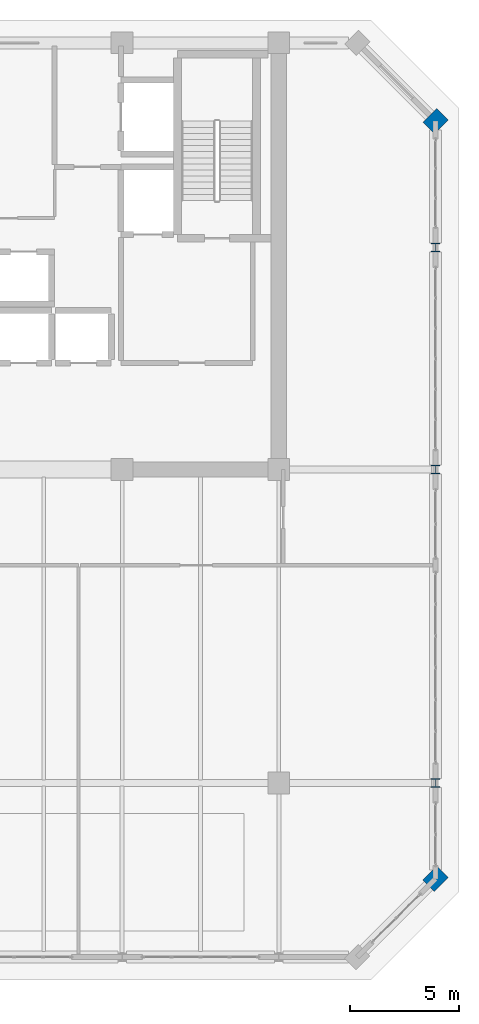
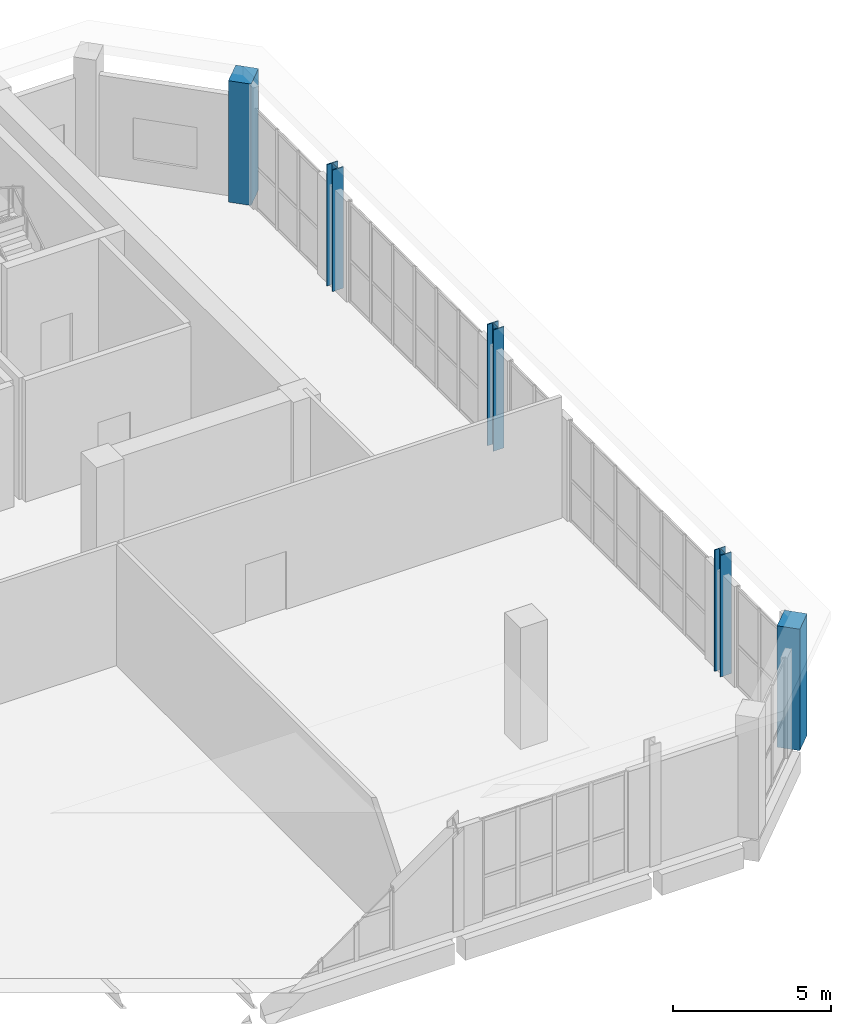
# One storey, part 3 of 36: 5 columns.
"""IFC4 building model written with IfcOpenShell, lengths in metres."""

from ifc_helpers import new_model, si_unit, direction, frame, origin, origin_2d, place, context, subcontext, project, spatial, rectangle, i_section, extrude, material, material_profile, profile_set, type_object, element, save


model = new_model("IFC4")

# Units and contexts
model_context = context("Model", 3, precision=1e-05, world=origin(), true_north=direction((0.0, 1.0)))
body_context = subcontext(model_context, "Body", "Model", "MODEL_VIEW")
ifc_project = project(units=[si_unit("LENGTHUNIT", "METRE"), si_unit("AREAUNIT", "SQUARE_METRE"), si_unit("VOLUMEUNIT", "CUBIC_METRE"), si_unit("PLANEANGLEUNIT", "RADIAN"), si_unit("MASSUNIT", "GRAM", prefix="KILO")], contexts=[model_context])

# Site, building, storey
site_placement = place(None, origin())
site = spatial("IfcSite", under=ifc_project, at=site_placement, CompositionType="ELEMENT")
building_placement = place(site_placement, origin())
building = spatial("IfcBuilding", under=site, at=building_placement, Name="Kaelvorn Grand Hotel", CompositionType="ELEMENT")
storey_placement = place(building_placement, frame((0.0, 0.0, 305.699951171875)))
storey = spatial("IfcBuildingStorey", under=building, at=storey_placement, Name="L74", CompositionType="ELEMENT", Elevation=305.699951171875)

# Columns
ifc_material_1 = material(Name="Concrete C60/75", Category="concrete")
ifc_material_profile_1 = material_profile(ifc_material_1, rectangle(XDim=0.89990234375, YDim=0.75, at=origin_2d()), Name="RC PILASTER 900x750")
ifc_profile_set_1 = profile_set([ifc_material_profile_1], Name="Concrete C60/75")
column_type_1 = type_object("IfcColumnType", Name="COL-PIL-900x750-C60", PredefinedType="PILASTER", material=ifc_profile_set_1)
for number, where, z_axis, x_axis, name in (
    (1, (75.0, 10.60009765625, 0.0), (0.0, 0.0, 1.0), (0.707106781187, 0.707106781187, 0.0), "L74 Structural Column CH-03"),
    (2, (75.0, 45.39990234375, 0.0), (0.0, 0.0, 1.0), (0.707106781187, 0.707106781187, 0.0), "L74 Structural Column CH-04"),
):
    element("IfcColumn", number, at=place(storey_placement, frame(where, z_axis=z_axis, x_axis=x_axis)), inside=storey, type_object=column_type_1, Name=name, PredefinedType="PILASTER", context=body_context, shape_type="SweptSolid", body=[
        extrude(rectangle(XDim=0.89990234375, YDim=0.75, at=origin_2d()), origin(), (0.0, 0.0, 1.0), 4.699951171875),
    ])
ifc_material_2 = material(Name="Steel S355", Category="steel")
ifc_material_profile_2 = material_profile(ifc_material_2, i_section(OverallWidth=0.39892578125, OverallDepth=0.3935546875, WebThickness=0.022705078125, FlangeThickness=0.03662109375, FilletRadius=0.01513671875, at=origin_2d()), Name="UC 356x406x287")
ifc_profile_set_2 = profile_set([ifc_material_profile_2], Name="Steel S355")
column_type_2 = type_object("IfcColumnType", Name="COL-STL-UC356-S355", PredefinedType="COLUMN", material=ifc_profile_set_2)
for number, where, z_axis, x_axis, name in (
    (3, (75.0, 15.0, 0.0), (0.0, 0.0, 1.0), (1.0, 0.0, 0.0), "L74 Structural Column E-01"),
    (4, (75.0, 29.39990234375, 0.0), (0.0, 0.0, 1.0), (1.0, 0.0, 0.0), "L74 Structural Column E-02"),
    (5, (75.0, 39.60009765625, 0.0), (0.0, 0.0, 1.0), (1.0, 0.0, 0.0), "L74 Structural Column E-03"),
):
    element("IfcColumn", number, at=place(storey_placement, frame(where, z_axis=z_axis, x_axis=x_axis)), inside=storey, type_object=column_type_2, Name=name, PredefinedType="COLUMN", context=body_context, shape_type="SweptSolid", body=[
        extrude(i_section(OverallWidth=0.39892578125, OverallDepth=0.3935546875, WebThickness=0.022705078125, FlangeThickness=0.03662109375, FilletRadius=0.01513671875, at=origin_2d()), origin(), (0.0, 0.0, 1.0), 4.699951171875),
    ])

save(model, "model.ifc")
